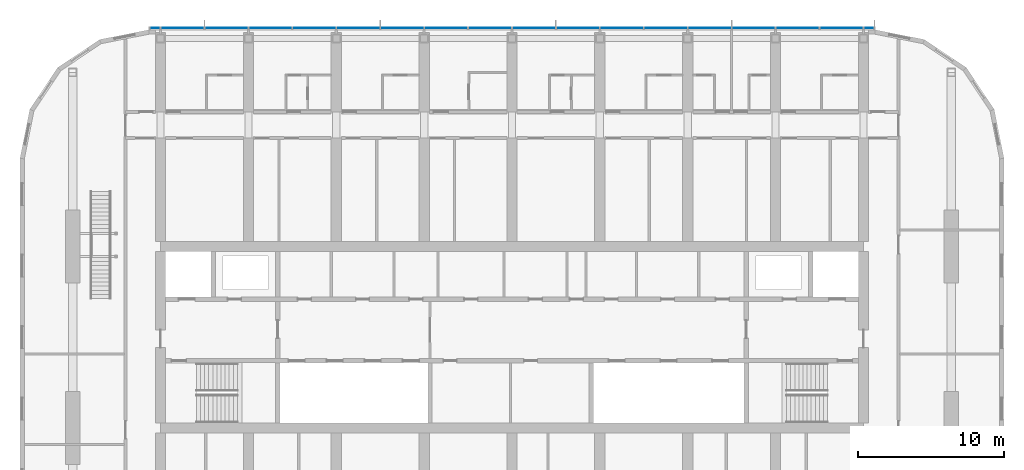
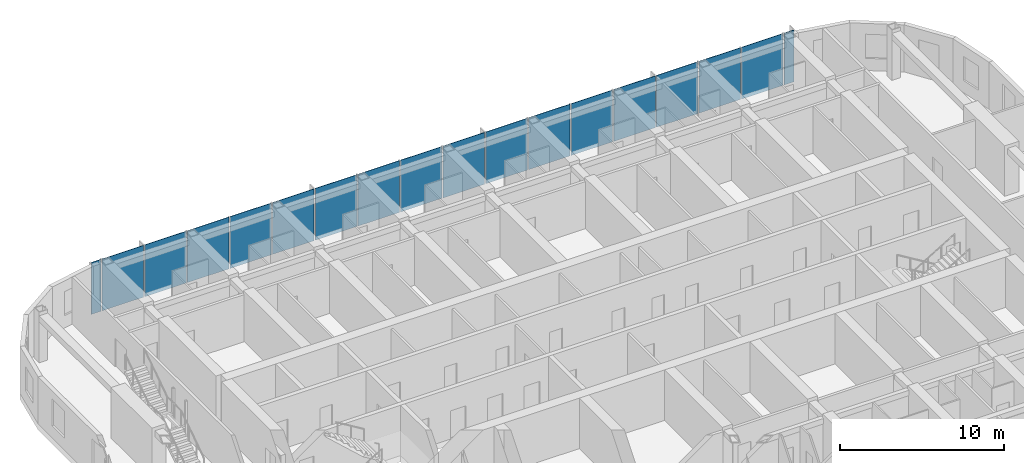
# One storey, part 12 of 28: 18 plates, 1 element without a shape of its own.
"""IFC4 building model written with IfcOpenShell, lengths in metres."""

from ifc_helpers import new_model, si_unit, direction, frame, origin, origin_2d, place, context, subcontext, project, spatial, rectangle, extrude, material, layer, layer_set, type_object, element, aggregate, save


model = new_model("IFC4")

# Units and contexts
model_context = context("Model", 3, precision=1e-05, world=origin(), true_north=direction((0.0, 1.0)))
body_context = subcontext(model_context, "Body", "Model", "MODEL_VIEW")
ifc_project = project(units=[si_unit("LENGTHUNIT", "METRE"), si_unit("AREAUNIT", "SQUARE_METRE"), si_unit("VOLUMEUNIT", "CUBIC_METRE"), si_unit("PLANEANGLEUNIT", "RADIAN"), si_unit("MASSUNIT", "GRAM", prefix="KILO")], contexts=[model_context])

# Site, building, storey
site_placement = place(None, origin())
site = spatial("IfcSite", under=ifc_project, at=site_placement, CompositionType="ELEMENT")
building_placement = place(site_placement, origin())
building = spatial("IfcBuilding", under=site, at=building_placement, Name="Orbita Commons", CompositionType="ELEMENT")
storey_placement = place(building_placement, frame((0.0, 0.0, 216.550048828125)))
storey = spatial("IfcBuildingStorey", under=building, at=storey_placement, Name="L53", CompositionType="ELEMENT", Elevation=216.550048828125)

# Curtain wall, plates
ifc_material_1 = material(Name="Anodised aluminium frame, pale silver", Category="aluminium")
curtain_wall_type = type_object("IfcCurtainWallType", Name="Unitised curtain wall CW-U, full-height vision", PredefinedType="NOTDEFINED", material=ifc_material_1)
curtain_wall_placement = place(storey_placement, origin())
curtain_wall = element("IfcCurtainWall", 1, at=curtain_wall_placement, inside=storey, type_object=curtain_wall_type, Name="Curtain wall north L53", PredefinedType="NOTDEFINED")
ifc_material_2 = material(Name="Clear double glazing", Category="glass")
ifc_layer = layer(ifc_material_2, 0.031982421875)
ifc_layer_set = layer_set([ifc_layer], Name="Clear double glazing")
plate_type = type_object("IfcPlateType", Name="Full-height vision panel, clear glazing 32", PredefinedType="CURTAIN_PANEL", material=ifc_layer_set)
plate_1_placement = place(storey_placement, frame((66.3798828125, 53.110107421875, -0.35009765625), z_axis=(0.0, 0.0, 1.0), x_axis=(-1.0, 0.0, 0.0)))
plate_1 = element("IfcPlate", 2, at=plate_1_placement, type_object=plate_type, Name="Panel 1.1 CW-L53-N", PredefinedType="CURTAIN_PANEL", context=body_context, shape_type="SweptSolid", body=[
    extrude(rectangle(XDim=0.679931640625, YDim=0.031982421875, at=origin_2d()), origin(), (0.0, 0.0, 1.0), 3.85009765625),
])
plate_2_placement = place(storey_placement, frame((64.5, 53.110107421875, -0.35009765625), z_axis=(0.0, 0.0, 1.0), x_axis=(-1.0, 0.0, 0.0)))
plate_2 = element("IfcPlate", 3, at=plate_2_placement, type_object=plate_type, Name="Panel 2.1 CW-L53-N", PredefinedType="CURTAIN_PANEL", context=body_context, shape_type="SweptSolid", body=[
    extrude(rectangle(XDim=2.919921875, YDim=0.031982421875, at=origin_2d()), origin(), (0.0, 0.0, 1.0), 3.85009765625),
])
plate_3_placement = place(storey_placement, frame((61.5, 53.110107421875, -0.35009765625), z_axis=(0.0, 0.0, 1.0), x_axis=(-1.0, 0.0, 0.0)))
plate_3 = element("IfcPlate", 4, at=plate_3_placement, type_object=plate_type, Name="Panel 3.1 CW-L53-N", PredefinedType="CURTAIN_PANEL", context=body_context, shape_type="SweptSolid", body=[
    extrude(rectangle(XDim=2.919921875, YDim=0.031982421875, at=origin_2d()), origin(), (0.0, 0.0, 1.0), 3.85009765625),
])
plate_4_placement = place(storey_placement, frame((58.5, 53.110107421875, -0.35009765625), z_axis=(0.0, 0.0, 1.0), x_axis=(-1.0, 0.0, 0.0)))
plate_4 = element("IfcPlate", 5, at=plate_4_placement, type_object=plate_type, Name="Panel 4.1 CW-L53-N", PredefinedType="CURTAIN_PANEL", context=body_context, shape_type="SweptSolid", body=[
    extrude(rectangle(XDim=2.919921875, YDim=0.031982421875, at=origin_2d()), origin(), (0.0, 0.0, 1.0), 3.85009765625),
])
plate_5_placement = place(storey_placement, frame((55.5, 53.110107421875, -0.35009765625), z_axis=(0.0, 0.0, 1.0), x_axis=(-1.0, 0.0, 0.0)))
plate_5 = element("IfcPlate", 6, at=plate_5_placement, type_object=plate_type, Name="Panel 5.1 CW-L53-N", PredefinedType="CURTAIN_PANEL", context=body_context, shape_type="SweptSolid", body=[
    extrude(rectangle(XDim=2.919921875, YDim=0.031982421875, at=origin_2d()), origin(), (0.0, 0.0, 1.0), 3.85009765625),
])
plate_6_placement = place(storey_placement, frame((52.5, 53.110107421875, -0.35009765625), z_axis=(0.0, 0.0, 1.0), x_axis=(-1.0, 0.0, 0.0)))
plate_6 = element("IfcPlate", 7, at=plate_6_placement, type_object=plate_type, Name="Panel 6.1 CW-L53-N", PredefinedType="CURTAIN_PANEL", context=body_context, shape_type="SweptSolid", body=[
    extrude(rectangle(XDim=2.919921875, YDim=0.031982421875, at=origin_2d()), origin(), (0.0, 0.0, 1.0), 3.85009765625),
])
plate_7_placement = place(storey_placement, frame((49.5, 53.110107421875, -0.35009765625), z_axis=(0.0, 0.0, 1.0), x_axis=(-1.0, 0.0, 0.0)))
plate_7 = element("IfcPlate", 8, at=plate_7_placement, type_object=plate_type, Name="Panel 7.1 CW-L53-N", PredefinedType="CURTAIN_PANEL", context=body_context, shape_type="SweptSolid", body=[
    extrude(rectangle(XDim=2.919921875, YDim=0.031982421875, at=origin_2d()), origin(), (0.0, 0.0, 1.0), 3.85009765625),
])
plate_8_placement = place(storey_placement, frame((46.5, 53.110107421875, -0.35009765625), z_axis=(0.0, 0.0, 1.0), x_axis=(-1.0, 0.0, 0.0)))
plate_8 = element("IfcPlate", 9, at=plate_8_placement, type_object=plate_type, Name="Panel 8.1 CW-L53-N", PredefinedType="CURTAIN_PANEL", context=body_context, shape_type="SweptSolid", body=[
    extrude(rectangle(XDim=2.919921875, YDim=0.031982421875, at=origin_2d()), origin(), (0.0, 0.0, 1.0), 3.85009765625),
])
plate_9_placement = place(storey_placement, frame((43.5, 53.110107421875, -0.35009765625), z_axis=(0.0, 0.0, 1.0), x_axis=(-1.0, 0.0, 0.0)))
plate_9 = element("IfcPlate", 10, at=plate_9_placement, type_object=plate_type, Name="Panel 9.1 CW-L53-N", PredefinedType="CURTAIN_PANEL", context=body_context, shape_type="SweptSolid", body=[
    extrude(rectangle(XDim=2.919921875, YDim=0.031982421875, at=origin_2d()), origin(), (0.0, 0.0, 1.0), 3.85009765625),
])
plate_10_placement = place(storey_placement, frame((40.5, 53.110107421875, -0.35009765625), z_axis=(0.0, 0.0, 1.0), x_axis=(-1.0, 0.0, 0.0)))
plate_10 = element("IfcPlate", 11, at=plate_10_placement, type_object=plate_type, Name="Panel 10.1 CW-L53-N", PredefinedType="CURTAIN_PANEL", context=body_context, shape_type="SweptSolid", body=[
    extrude(rectangle(XDim=2.919921875, YDim=0.031982421875, at=origin_2d()), origin(), (0.0, 0.0, 1.0), 3.85009765625),
])
plate_11_placement = place(storey_placement, frame((37.5, 53.110107421875, -0.35009765625), z_axis=(0.0, 0.0, 1.0), x_axis=(-1.0, 0.0, 0.0)))
plate_11 = element("IfcPlate", 12, at=plate_11_placement, type_object=plate_type, Name="Panel 11.1 CW-L53-N", PredefinedType="CURTAIN_PANEL", context=body_context, shape_type="SweptSolid", body=[
    extrude(rectangle(XDim=2.919921875, YDim=0.031982421875, at=origin_2d()), origin(), (0.0, 0.0, 1.0), 3.85009765625),
])
plate_12_placement = place(storey_placement, frame((34.5, 53.110107421875, -0.35009765625), z_axis=(0.0, 0.0, 1.0), x_axis=(-1.0, 0.0, 0.0)))
plate_12 = element("IfcPlate", 13, at=plate_12_placement, type_object=plate_type, Name="Panel 12.1 CW-L53-N", PredefinedType="CURTAIN_PANEL", context=body_context, shape_type="SweptSolid", body=[
    extrude(rectangle(XDim=2.919921875, YDim=0.031982421875, at=origin_2d()), origin(), (0.0, 0.0, 1.0), 3.85009765625),
])
plate_13_placement = place(storey_placement, frame((31.5, 53.110107421875, -0.35009765625), z_axis=(0.0, 0.0, 1.0), x_axis=(-1.0, 0.0, 0.0)))
plate_13 = element("IfcPlate", 14, at=plate_13_placement, type_object=plate_type, Name="Panel 13.1 CW-L53-N", PredefinedType="CURTAIN_PANEL", context=body_context, shape_type="SweptSolid", body=[
    extrude(rectangle(XDim=2.919921875, YDim=0.031982421875, at=origin_2d()), origin(), (0.0, 0.0, 1.0), 3.85009765625),
])
plate_14_placement = place(storey_placement, frame((28.5, 53.110107421875, -0.35009765625), z_axis=(0.0, 0.0, 1.0), x_axis=(-1.0, 0.0, 0.0)))
plate_14 = element("IfcPlate", 15, at=plate_14_placement, type_object=plate_type, Name="Panel 14.1 CW-L53-N", PredefinedType="CURTAIN_PANEL", context=body_context, shape_type="SweptSolid", body=[
    extrude(rectangle(XDim=2.919921875, YDim=0.031982421875, at=origin_2d()), origin(), (0.0, 0.0, 1.0), 3.85009765625),
])
plate_15_placement = place(storey_placement, frame((25.5, 53.110107421875, -0.35009765625), z_axis=(0.0, 0.0, 1.0), x_axis=(-1.0, 0.0, 0.0)))
plate_15 = element("IfcPlate", 16, at=plate_15_placement, type_object=plate_type, Name="Panel 15.1 CW-L53-N", PredefinedType="CURTAIN_PANEL", context=body_context, shape_type="SweptSolid", body=[
    extrude(rectangle(XDim=2.919921875, YDim=0.031982421875, at=origin_2d()), origin(), (0.0, 0.0, 1.0), 3.85009765625),
])
plate_16_placement = place(storey_placement, frame((22.5, 53.110107421875, -0.35009765625), z_axis=(0.0, 0.0, 1.0), x_axis=(-1.0, 0.0, 0.0)))
plate_16 = element("IfcPlate", 17, at=plate_16_placement, type_object=plate_type, Name="Panel 16.1 CW-L53-N", PredefinedType="CURTAIN_PANEL", context=body_context, shape_type="SweptSolid", body=[
    extrude(rectangle(XDim=2.919921875, YDim=0.031982421875, at=origin_2d()), origin(), (0.0, 0.0, 1.0), 3.85009765625),
])
plate_17_placement = place(storey_placement, frame((19.5, 53.110107421875, -0.35009765625), z_axis=(0.0, 0.0, 1.0), x_axis=(-1.0, 0.0, 0.0)))
plate_17 = element("IfcPlate", 18, at=plate_17_placement, type_object=plate_type, Name="Panel 17.1 CW-L53-N", PredefinedType="CURTAIN_PANEL", context=body_context, shape_type="SweptSolid", body=[
    extrude(rectangle(XDim=2.919921875, YDim=0.031982421875, at=origin_2d()), origin(), (0.0, 0.0, 1.0), 3.85009765625),
])
plate_18_placement = place(storey_placement, frame((17.6201171875, 53.110107421875, -0.35009765625), z_axis=(0.0, 0.0, 1.0), x_axis=(-1.0, 0.0, 0.0)))
plate_18 = element("IfcPlate", 19, at=plate_18_placement, type_object=plate_type, Name="Panel 18.1 CW-L53-N", PredefinedType="CURTAIN_PANEL", context=body_context, shape_type="SweptSolid", body=[
    extrude(rectangle(XDim=0.679931640625, YDim=0.031982421875, at=origin_2d()), origin(), (0.0, 0.0, 1.0), 3.85009765625),
])
aggregate(curtain_wall, [plate_1, plate_2, plate_3, plate_4, plate_5, plate_6, plate_7, plate_8, plate_9, plate_10, plate_11, plate_12, plate_13, plate_14, plate_15, plate_16, plate_17, plate_18])

save(model, "model.ifc")
